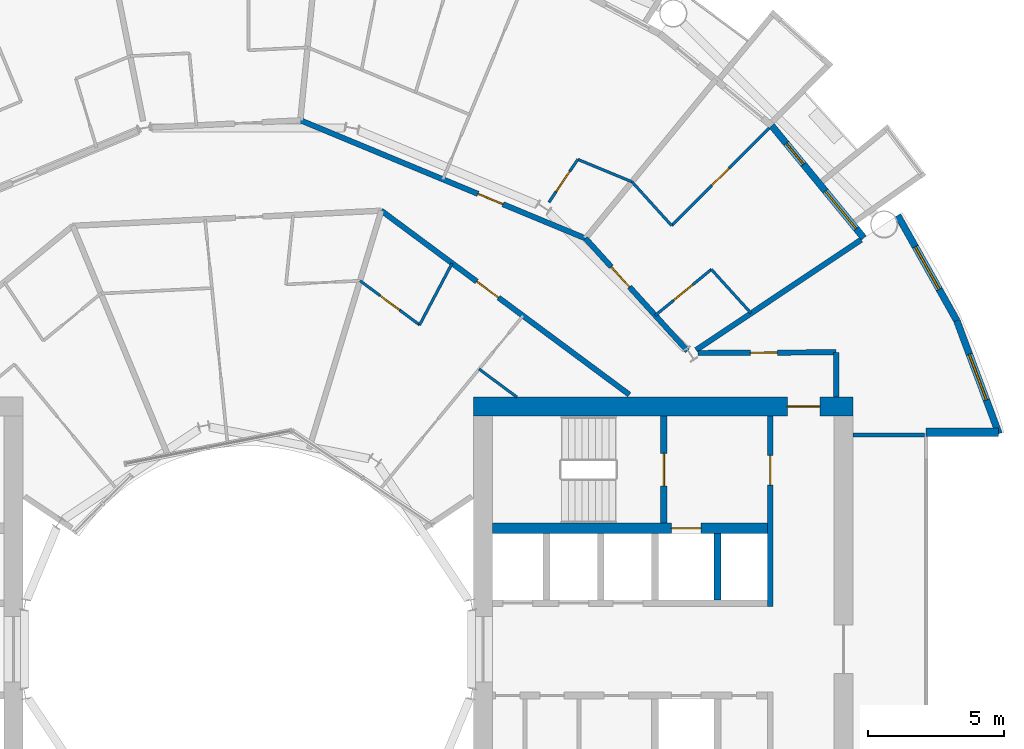
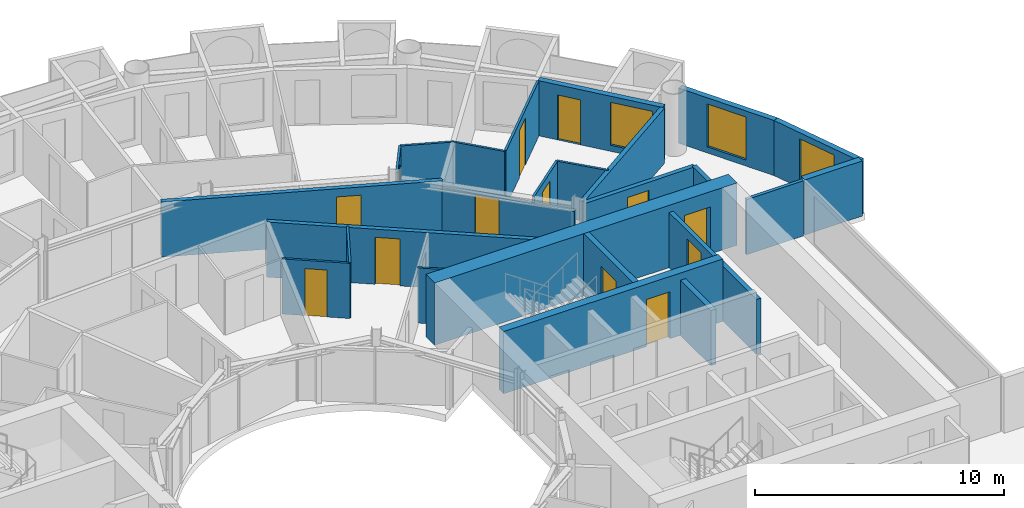
# One storey, part 21 of 26: 25 walls, 13 doors, 3 windows, 16 openings.
"""IFC4 building model written with IfcOpenShell, lengths in metres."""

from ifc_helpers import new_model, si_unit, direction, frame, frame_2d, origin, place, context, subcontext, project, spatial, rectangle, extrude, material, layer, layer_set, type_object, element, fill, save


model = new_model("IFC4")

# Units and contexts
model_context = context("Model", 3, precision=1e-05, world=origin(), true_north=direction((0.0, 1.0)))
body_context = subcontext(model_context, "Body", "Model", "MODEL_VIEW")
ifc_project = project(units=[si_unit("LENGTHUNIT", "METRE"), si_unit("AREAUNIT", "SQUARE_METRE"), si_unit("VOLUMEUNIT", "CUBIC_METRE"), si_unit("PLANEANGLEUNIT", "RADIAN"), si_unit("MASSUNIT", "GRAM", prefix="KILO")], contexts=[model_context])

# Site, building, storey
site_placement = place(None, origin())
site = spatial("IfcSite", under=ifc_project, at=site_placement, CompositionType="ELEMENT")
building_placement = place(site_placement, origin())
building = spatial("IfcBuilding", under=site, at=building_placement, Name="Maasbend Ring Residences", CompositionType="ELEMENT")
storey_placement = place(building_placement, frame((0.0, 0.0, 72.75)))
storey = spatial("IfcBuildingStorey", under=building, at=storey_placement, Name="L20", CompositionType="ELEMENT", Elevation=72.75)

# Wall, opening, door
ifc_material_1 = material(Name="Concrete C70/85", Category="concrete")
ifc_layer_1 = layer(ifc_material_1, 0.25)
ifc_layer_set_1 = layer_set([ifc_layer_1], Name="Concrete C70/85")
wall_type_1 = type_object("IfcWallType", Name="CORE WALL 250 C70/85", PredefinedType="SHEAR", material=ifc_layer_set_1)
wall_1_placement = place(storey_placement, frame((15.324951171875, 4.64990234375, 0.0), z_axis=(0.0, 0.0, 1.0), x_axis=(0.0, 1.0, 0.0)))
wall_1 = element("IfcWall", 1, at=wall_1_placement, inside=storey, type_object=wall_type_1, Name="L20 core E wall STEN", PredefinedType="SHEAR", context=body_context, shape_type="SweptSolid", body=[
    extrude(rectangle(XDim=3.9501953125, YDim=0.25, at=frame_2d((1.97509765625, 0.0))), origin(), (0.0, 0.0, 1.0), 3.050048828125),
])
opening_1_placement = place(wall_1_placement, frame((1.375, 0.0, 0.0)))
opening_1 = element("IfcOpeningElement", 2, at=opening_1_placement, cuts=wall_1, Name="Opening D-E2011", PredefinedType="OPENING", context=body_context, shape_type="SweptSolid", body=[
    extrude(rectangle(XDim=1.199951171875, YDim=2.300048828125, at=frame_2d((0.60009765625, 1.14990234375))), frame((0.0, 0.135009765625, 0.0), z_axis=(0.0, -1.0, 0.0), x_axis=(1.0, 0.0, 0.0)), (0.0, 0.0, 1.0), 0.27001953125),
])
ifc_material_2 = material(Name="Steel, powder coated", Category="steel")
door_type_1 = type_object("IfcDoorType", Name="STAIR DOOR 1200 X 2300 FD60", OperationType="NOTDEFINED", PredefinedType="DOOR", material=ifc_material_2)
door_1_placement = place(opening_1_placement, origin())
door_1 = element("IfcDoor", 3, at=door_1_placement, inside=storey, type_object=door_type_1, Name="Stair door ST-E L20", OperationType="SINGLE_SWING_LEFT", OverallHeight=2.300048828125, OverallWidth=1.199951171875, PredefinedType="DOOR", context=body_context, shape_type="SweptSolid", body=[
    extrude(rectangle(XDim=1.199951171875, YDim=2.300048828125, at=frame_2d((0.60009765625, 1.14990234375))), frame((0.0, 0.02490234375, 0.0), z_axis=(0.0, -1.0, 0.0), x_axis=(1.0, 0.0, 0.0)), (0.0, 0.0, 1.0), 0.050048828125),
])
fill(opening_1, door_1)

ifc_material_3 = material(Name="Concrete C70/85", Category="concrete")
ifc_layer_2 = layer(ifc_material_3, 0.375)
ifc_layer_set_2 = layer_set([ifc_layer_2], Name="Concrete C70/85")
wall_type_2 = type_object("IfcWallType", Name="CORE WALL 375 C70/85", PredefinedType="SHEAR", material=ifc_layer_set_2)
wall_2_placement = place(storey_placement, frame((9.0, 4.46240234375, 0.0), z_axis=(0.0, 0.0, 1.0), x_axis=(1.0, 0.0, 0.0)))
wall_2 = element("IfcWall", 4, at=wall_2_placement, inside=storey, type_object=wall_type_2, Name="L20 core E wall BN", PredefinedType="SHEAR", context=body_context, shape_type="SweptSolid", body=[
    extrude(rectangle(XDim=10.14990234375, YDim=0.375, at=frame_2d((5.074951171875, 0.0))), origin(), (0.0, 0.0, 1.0), 3.050048828125),
])
opening_2_placement = place(wall_2_placement, frame((6.60009765625, 0.0, 0.0)))
opening_2 = element("IfcOpeningElement", 5, at=opening_2_placement, cuts=wall_2, Name="Opening LD-E2004", PredefinedType="OPENING", context=body_context, shape_type="SweptSolid", body=[
    extrude(rectangle(XDim=1.10009765625, YDim=2.300048828125, at=frame_2d((0.550048828125, 1.14990234375))), frame((0.0, 0.197509765625, 0.0), z_axis=(0.0, -1.0, 0.0), x_axis=(1.0, 0.0, 0.0)), (0.0, 0.0, 1.0), 0.39501953125),
])
ifc_material_4 = material(Name="Stainless steel 316", Category="steel")
door_type_2 = type_object("IfcDoorType", Name="LANDING DOOR 1100 X 2300 FD60", OperationType="DOUBLE_DOOR_SLIDING", PredefinedType="DOOR", material=ifc_material_4)
door_2_placement = place(opening_2_placement, origin())
door_2 = element("IfcDoor", 6, at=door_2_placement, inside=storey, type_object=door_type_2, Name="Landing door FF-E L20", OperationType="DOUBLE_DOOR_SLIDING", OverallHeight=2.300048828125, OverallWidth=1.10009765625, PredefinedType="DOOR", context=body_context, shape_type="SweptSolid", body=[
    extrude(rectangle(XDim=1.10009765625, YDim=2.300048828125, at=frame_2d((0.550048828125, 1.14990234375))), frame((0.0, 0.02490234375, 0.0), z_axis=(0.0, -1.0, 0.0), x_axis=(1.0, 0.0, 0.0)), (0.0, 0.0, 1.0), 0.050048828125),
])
fill(opening_2, door_2)

ifc_material_5 = material(Name="Concrete C70/85", Category="concrete")
ifc_layer_3 = layer(ifc_material_5, 0.699951171875)
ifc_layer_set_3 = layer_set([ifc_layer_3], Name="Concrete C70/85")
wall_type_3 = type_object("IfcWallType", Name="CORE WALL 700 C70/85", PredefinedType="SHEAR", material=ifc_layer_set_3)
wall_3_placement = place(storey_placement, frame((22.300048828125, 8.949951171875, 0.0), z_axis=(0.0, 0.0, 1.0), x_axis=(-1.0, 0.0, 0.0)))
wall_3 = element("IfcWall", 7, at=wall_3_placement, inside=storey, type_object=wall_type_3, Name="L20 core E wall PN", PredefinedType="SHEAR", context=body_context, shape_type="SweptSolid", body=[
    extrude(rectangle(XDim=14.0, YDim=0.699951171875, at=frame_2d((7.0, 0.0))), origin(), (0.0, 0.0, 1.0), 3.050048828125),
])
opening_3_placement = place(wall_3_placement, frame((1.22509765625, 0.0, 0.0)))
opening_3 = element("IfcOpeningElement", 8, at=opening_3_placement, cuts=wall_3, Name="Opening D-E2015", PredefinedType="OPENING", context=body_context, shape_type="SweptSolid", body=[
    extrude(rectangle(XDim=1.199951171875, YDim=2.300048828125, at=frame_2d((0.60009765625, 1.14990234375))), frame((0.0, 0.35986328125, 0.0), z_axis=(0.0, -1.0, 0.0), x_axis=(1.0, 0.0, 0.0)), (0.0, 0.0, 1.0), 0.719970703125),
])
ifc_material_6 = material(Name="Steel, powder coated", Category="steel")
door_type_3 = type_object("IfcDoorType", Name="CORRIDOR DOOR 1200 X 2300 FD30S", OperationType="NOTDEFINED", PredefinedType="DOOR", material=ifc_material_6)
door_3_placement = place(opening_3_placement, origin())
door_3 = element("IfcDoor", 9, at=door_3_placement, inside=storey, type_object=door_type_3, Name="Corridor door L20", OperationType="SINGLE_SWING_RIGHT", OverallHeight=2.300048828125, OverallWidth=1.199951171875, PredefinedType="DOOR", context=body_context, shape_type="SweptSolid", body=[
    extrude(rectangle(XDim=1.199951171875, YDim=2.300048828125, at=frame_2d((0.60009765625, 1.14990234375))), frame((0.0, 0.02490234375, 0.0), z_axis=(0.0, -1.0, 0.0), x_axis=(1.0, 0.0, 0.0)), (0.0, 0.0, 1.0), 0.050048828125),
])
fill(opening_3, door_3)

# Wall
ifc_material_7 = material(Name="Concrete C30/37", Category="concrete")
ifc_layer_4 = layer(ifc_material_7, 0.199951171875)
ifc_layer_set_4 = layer_set([ifc_layer_4], Name="Concrete C30/37")
wall_type_4 = type_object("IfcWallType", Name="CORRIDOR WALL 200 CONCRETE", PredefinedType="PARTITIONING", material=ifc_layer_set_4)
wall_4_placement = place(storey_placement, frame((21.675048828125, 9.300048828125, 0.0), z_axis=(0.0, 0.0, 1.0), x_axis=(0.0, 1.0, 0.0)))
element("IfcWall", 10, at=wall_4_placement, inside=storey, type_object=wall_type_4, Name="U-L20-w006", PredefinedType="PARTITIONING", context=body_context, shape_type="SweptSolid", body=[
    extrude(rectangle(XDim=1.64990234375, YDim=0.199951171875, at=frame_2d((0.824951171875, 0.0))), origin(), (0.0, 0.0, 1.0), 2.699951171875),
])

# Wall, opening, door
wall_5_placement = place(storey_placement, frame((16.589111328125, 10.924072265625, 0.0), z_axis=(0.0, 0.0, 1.0), x_axis=(0.999987054722, 0.005088259783, 0.0)))
wall_5 = element("IfcWall", 11, at=wall_5_placement, inside=storey, type_object=wall_type_4, Name="U-L20-w088", PredefinedType="PARTITIONING", context=body_context, shape_type="SweptSolid", body=[
    extrude(rectangle(XDim=5.0859375, YDim=0.199951171875, at=frame_2d((2.54296875, 0.0))), origin(), (0.0, 0.0, 1.0), 2.699951171875),
])
opening_4_placement = place(wall_5_placement, frame((1.923095703125, 0.0, 0.0)))
opening_4 = element("IfcOpeningElement", 12, at=opening_4_placement, cuts=wall_5, Name="Opening D-2068", PredefinedType="OPENING", context=body_context, shape_type="SweptSolid", body=[
    extrude(rectangle(XDim=1.0, YDim=2.300048828125, at=frame_2d((0.5, 1.14990234375))), frame((0.0, 0.10986328125, 0.0), z_axis=(0.0, -1.0, 0.0), x_axis=(1.0, 0.0, 0.0)), (0.0, 0.0, 1.0), 0.219970703125),
])
ifc_material_8 = material(Name="Timber, painted", Category="wood")
door_type_4 = type_object("IfcDoorType", Name="ROOM DOOR 1000 X 2300", OperationType="NOTDEFINED", PredefinedType="DOOR", material=ifc_material_8)
door_4_placement = place(opening_4_placement, origin())
door_4 = element("IfcDoor", 13, at=door_4_placement, inside=storey, type_object=door_type_4, Name="D-2068", OperationType="SINGLE_SWING_LEFT", OverallHeight=2.300048828125, OverallWidth=1.0, PredefinedType="DOOR", context=body_context, shape_type="SweptSolid", body=[
    extrude(rectangle(XDim=1.0, YDim=2.300048828125, at=frame_2d((0.5, 1.14990234375))), frame((0.0, 0.02490234375, 0.0), z_axis=(0.0, -1.0, 0.0), x_axis=(1.0, 0.0, 0.0)), (0.0, 0.0, 1.0), 0.050048828125),
])
fill(opening_4, door_4)

wall_6_placement = place(storey_placement, frame((4.906005859375, 16.172119140625, 0.0), z_axis=(0.0, 0.0, 1.0), x_axis=(0.803204584823, -0.59570327758, 0.0)))
wall_6 = element("IfcWall", 14, at=wall_6_placement, inside=storey, type_object=wall_type_4, Name="U-L20-w096", PredefinedType="PARTITIONING", context=body_context, shape_type="SweptSolid", body=[
    extrude(rectangle(XDim=11.386962890625, YDim=0.199951171875, at=frame_2d((5.693359375, 0.0))), origin(), (0.0, 0.0, 1.0), 2.699951171875),
])
opening_5_placement = place(wall_6_placement, frame((4.3798828125, 0.0, 0.0)))
opening_5 = element("IfcOpeningElement", 15, at=opening_5_placement, cuts=wall_6, Name="Opening D-2021", PredefinedType="OPENING", context=body_context, shape_type="SweptSolid", body=[
    extrude(rectangle(XDim=1.0, YDim=2.300048828125, at=frame_2d((0.5, 1.14990234375))), frame((0.0, 0.10986328125, 0.0), z_axis=(0.0, -1.0, 0.0), x_axis=(1.0, 0.0, 0.0)), (0.0, 0.0, 1.0), 0.219970703125),
])
ifc_material_9 = material(Name="Timber, fire-rated, painted", Category="wood")
door_type_5 = type_object("IfcDoorType", Name="FLAT ENTRANCE DOOR 1000 X 2300 FIRE-RATED", OperationType="NOTDEFINED", PredefinedType="DOOR", material=ifc_material_9)
door_5_placement = place(opening_5_placement, origin())
door_5 = element("IfcDoor", 16, at=door_5_placement, inside=storey, type_object=door_type_5, Name="D-2021", OperationType="SINGLE_SWING_LEFT", OverallHeight=2.300048828125, OverallWidth=1.0, PredefinedType="DOOR", context=body_context, shape_type="SweptSolid", body=[
    extrude(rectangle(XDim=1.0, YDim=2.300048828125, at=frame_2d((0.5, 1.14990234375))), frame((0.0, 0.02490234375, 0.0), z_axis=(0.0, -1.0, 0.0), x_axis=(1.0, 0.0, 0.0)), (0.0, 0.0, 1.0), 0.050048828125),
])
fill(opening_5, door_5)

wall_7_placement = place(storey_placement, frame((1.9208984375, 19.506103515625, 0.0), z_axis=(0.0, 0.0, 1.0), x_axis=(0.923845560554, -0.38276543763, 0.0)))
wall_7 = element("IfcWall", 17, at=wall_7_placement, inside=storey, type_object=wall_type_4, Name="U-L20-w098", PredefinedType="PARTITIONING", context=body_context, shape_type="SweptSolid", body=[
    extrude(rectangle(XDim=11.380859375, YDim=0.199951171875, at=frame_2d((5.6904296875, 0.0))), origin(), (0.0, 0.0, 1.0), 2.699951171875),
])
opening_6_placement = place(wall_7_placement, frame((7.0869140625, 0.0, 0.0)))
opening_6 = element("IfcOpeningElement", 18, at=opening_6_placement, cuts=wall_7, Name="Opening D-2004", PredefinedType="OPENING", context=body_context, shape_type="SweptSolid", body=[
    extrude(rectangle(XDim=1.0, YDim=2.300048828125, at=frame_2d((0.5, 1.14990234375))), frame((0.0, 0.10986328125, 0.0), z_axis=(0.0, -1.0, 0.0), x_axis=(1.0, 0.0, 0.0)), (0.0, 0.0, 1.0), 0.219970703125),
])
door_6_placement = place(opening_6_placement, origin())
door_6 = element("IfcDoor", 19, at=door_6_placement, inside=storey, type_object=door_type_5, Name="D-2004", OperationType="SINGLE_SWING_RIGHT", OverallHeight=2.300048828125, OverallWidth=1.0, PredefinedType="DOOR", context=body_context, shape_type="SweptSolid", body=[
    extrude(rectangle(XDim=1.0, YDim=2.300048828125, at=frame_2d((0.5, 1.14990234375))), frame((0.0, 0.02490234375, 0.0), z_axis=(0.0, -1.0, 0.0), x_axis=(1.0, 0.0, 0.0)), (0.0, 0.0, 1.0), 0.050048828125),
])
fill(opening_6, door_6)

wall_8_placement = place(storey_placement, frame((12.43408203125, 15.15087890625, 0.0), z_axis=(0.0, 0.0, 1.0), x_axis=(0.671601747072, -0.740912338492, 0.0)))
wall_8 = element("IfcWall", 20, at=wall_8_placement, inside=storey, type_object=wall_type_4, Name="U-L20-w102", PredefinedType="PARTITIONING", context=body_context, shape_type="SweptSolid", body=[
    extrude(rectangle(XDim=5.59716796875, YDim=0.199951171875, at=frame_2d((2.798583984375, 0.0))), origin(), (0.0, 0.0, 1.0), 2.3798828125),
])
opening_7_placement = place(wall_8_placement, frame((1.4169921875, 0.0, 0.0)))
opening_7 = element("IfcOpeningElement", 21, at=opening_7_placement, cuts=wall_8, Name="Opening D-2001", PredefinedType="OPENING", context=body_context, shape_type="SweptSolid", body=[
    extrude(rectangle(XDim=1.0, YDim=2.300048828125, at=frame_2d((0.5, 1.14990234375))), frame((0.0, 0.10986328125, 0.0), z_axis=(0.0, -1.0, 0.0), x_axis=(1.0, 0.0, 0.0)), (0.0, 0.0, 1.0), 0.219970703125),
])
door_7_placement = place(opening_7_placement, origin())
door_7 = element("IfcDoor", 22, at=door_7_placement, inside=storey, type_object=door_type_5, Name="D-2001", OperationType="SINGLE_SWING_LEFT", OverallHeight=2.300048828125, OverallWidth=1.0, PredefinedType="DOOR", context=body_context, shape_type="SweptSolid", body=[
    extrude(rectangle(XDim=1.0, YDim=2.300048828125, at=frame_2d((0.5, 1.14990234375))), frame((0.0, 0.02490234375, 0.0), z_axis=(0.0, -1.0, 0.0), x_axis=(1.0, 0.0, 0.0)), (0.0, 0.0, 1.0), 0.050048828125),
])
fill(opening_7, door_7)

# Wall, openings, door, window
ifc_material_10 = material(Name="Aluminium clad insulated panel", Category="aluminium")
ifc_layer_5 = layer(ifc_material_10, 0.25)
ifc_layer_set_5 = layer_set([ifc_layer_5], Name="EW-GL")
wall_type_5 = type_object("IfcWallType", Name="EW-GL", PredefinedType="SOLIDWALL", material=ifc_layer_set_5)
wall_9_placement = place(storey_placement, frame((22.698974609375, 15.1669921875, 0.0), z_axis=(0.0, 0.0, 1.0), x_axis=(-0.634382322723, 0.773019449054, 0.0)))
wall_9 = element("IfcWall", 23, at=wall_9_placement, inside=storey, type_object=wall_type_5, Name="External wall N01", PredefinedType="SOLIDWALL", context=body_context, shape_type="SweptSolid", body=[
    extrude(rectangle(XDim=5.351806640625, YDim=0.25, at=frame_2d((2.67578125, 0.0))), origin(), (0.0, 0.0, 1.0), 2.699951171875),
])
opening_8_placement = place(wall_9_placement, frame((0.441162109375, 0.0, 0.300048828125)))
opening_8 = element("IfcOpeningElement", 24, at=opening_8_placement, cuts=wall_9, Name="Opening W-BX", PredefinedType="OPENING", context=body_context, shape_type="SweptSolid", body=[
    extrude(rectangle(XDim=1.800048828125, YDim=2.10009765625, at=frame_2d((0.89990234375, 1.050048828125))), frame((0.0, 0.135009765625, 0.0), z_axis=(0.0, -1.0, 0.0), x_axis=(1.0, 0.0, 0.0)), (0.0, 0.0, 1.0), 0.27001953125),
])
opening_9_placement = place(wall_9_placement, frame((3.510498046875, 0.0, 0.0)))
opening_9 = element("IfcOpeningElement", 25, at=opening_9_placement, cuts=wall_9, Name="Opening D-LG", PredefinedType="OPENING", context=body_context, shape_type="SweptSolid", body=[
    extrude(rectangle(XDim=1.0, YDim=2.199951171875, at=frame_2d((0.5, 1.10009765625))), frame((0.0, 0.135009765625, 0.0), z_axis=(0.0, -1.0, 0.0), x_axis=(1.0, 0.0, 0.0)), (0.0, 0.0, 1.0), 0.27001953125),
])
ifc_material_11 = material(Name="Aluminium and clear glass", Category="aluminium")
door_type_6 = type_object("IfcDoorType", Name="D-LG", OperationType="SINGLE_SWING_LEFT", PredefinedType="DOOR", material=ifc_material_11)
door_8_placement = place(opening_9_placement, origin())
door_8 = element("IfcDoor", 26, at=door_8_placement, inside=storey, type_object=door_type_6, Name="Loggia door N02", OperationType="SINGLE_SWING_LEFT", OverallHeight=2.199951171875, OverallWidth=1.0, PredefinedType="DOOR", context=body_context, shape_type="SweptSolid", body=[
    extrude(rectangle(XDim=1.0, YDim=2.199951171875, at=frame_2d((0.5, 1.10009765625))), frame((0.0, 0.02490234375, 0.0), z_axis=(0.0, -1.0, 0.0), x_axis=(1.0, 0.0, 0.0)), (0.0, 0.0, 1.0), 0.050048828125),
])
fill(opening_9, door_8)
ifc_material_12 = material(Name="Aluminium and clear glass", Category="aluminium")
window_type = type_object("IfcWindowType", Name="W-BX", PartitioningType="DOUBLE_PANEL_VERTICAL", PredefinedType="WINDOW", material=ifc_material_12)
window_1_placement = place(opening_8_placement, origin())
window_1 = element("IfcWindow", 27, at=window_1_placement, inside=storey, type_object=window_type, Name="Window N01 room to box", OverallHeight=2.10009765625, OverallWidth=1.800048828125, PartitioningType="SINGLE_PANEL", PredefinedType="WINDOW", context=body_context, shape_type="SweptSolid", body=[
    extrude(rectangle(XDim=1.800048828125, YDim=2.10009765625, at=frame_2d((0.89990234375, 1.050048828125))), frame((0.0, 0.030029296875, 0.0), z_axis=(0.0, -1.0, 0.0), x_axis=(1.0, 0.0, 0.0)), (0.0, 0.0, 1.0), 0.06005859375),
])
fill(opening_8, window_1)

# Wall, opening, window
ifc_material_13 = material(Name="Aluminium clad insulated panel", Category="aluminium")
ifc_layer_6 = layer(ifc_material_13, 0.25)
ifc_layer_set_6 = layer_set([ifc_layer_6], Name="EW-HORN")
wall_type_6 = type_object("IfcWallType", Name="EW-HORN", PredefinedType="SOLIDWALL", material=ifc_layer_set_6)
wall_10_placement = place(storey_placement, frame((27.681884765625, 7.945068359375, 0.0), z_axis=(0.0, 0.0, 1.0), x_axis=(-0.349247811493, 0.937030397675, 0.0)))
wall_10 = element("IfcWall", 28, at=wall_10_placement, inside=storey, type_object=wall_type_6, Name="Horn wall 1.1", PredefinedType="SOLIDWALL", context=body_context, shape_type="SweptSolid", body=[
    extrude(rectangle(XDim=4.4521484375, YDim=0.25, at=frame_2d((2.22607421875, 0.0))), origin(), (0.0, 0.0, 1.0), 2.699951171875),
])
opening_10_placement = place(wall_10_placement, frame((1.32666015625, 0.0, 0.300048828125)))
opening_10 = element("IfcOpeningElement", 29, at=opening_10_placement, cuts=wall_10, Name="Opening W-BX", PredefinedType="OPENING", context=body_context, shape_type="SweptSolid", body=[
    extrude(rectangle(XDim=1.800048828125, YDim=2.10009765625, at=frame_2d((0.89990234375, 1.050048828125))), frame((0.0, 0.135009765625, 0.0), z_axis=(0.0, -1.0, 0.0), x_axis=(1.0, 0.0, 0.0)), (0.0, 0.0, 1.0), 0.27001953125),
])
window_2_placement = place(opening_10_placement, origin())
window_2 = element("IfcWindow", 30, at=window_2_placement, inside=storey, type_object=window_type, Name="Horn window 1.1", OverallHeight=2.10009765625, OverallWidth=1.800048828125, PartitioningType="SINGLE_PANEL", PredefinedType="WINDOW", context=body_context, shape_type="SweptSolid", body=[
    extrude(rectangle(XDim=1.800048828125, YDim=2.10009765625, at=frame_2d((0.89990234375, 1.050048828125))), frame((0.0, 0.030029296875, 0.0), z_axis=(0.0, -1.0, 0.0), x_axis=(1.0, 0.0, 0.0)), (0.0, 0.0, 1.0), 0.06005859375),
])
fill(opening_10, window_2)

wall_11_placement = place(storey_placement, frame((26.126953125, 12.116943359375, 0.0), z_axis=(0.0, 0.0, 1.0), x_axis=(-0.489696356642, 0.871893042919, 0.0)))
wall_11 = element("IfcWall", 31, at=wall_11_placement, inside=storey, type_object=wall_type_6, Name="Horn wall 1.2", PredefinedType="SOLIDWALL", context=body_context, shape_type="SweptSolid", body=[
    extrude(rectangle(XDim=4.45361328125, YDim=0.25, at=frame_2d((2.226806640625, 0.0))), origin(), (0.0, 0.0, 1.0), 2.699951171875),
])
opening_11_placement = place(wall_11_placement, frame((1.32666015625, 0.0, 0.300048828125)))
opening_11 = element("IfcOpeningElement", 32, at=opening_11_placement, cuts=wall_11, Name="Opening W-BX", PredefinedType="OPENING", context=body_context, shape_type="SweptSolid", body=[
    extrude(rectangle(XDim=1.800048828125, YDim=2.10009765625, at=frame_2d((0.89990234375, 1.050048828125))), frame((0.0, 0.135009765625, 0.0), z_axis=(0.0, -1.0, 0.0), x_axis=(1.0, 0.0, 0.0)), (0.0, 0.0, 1.0), 0.27001953125),
])
window_3_placement = place(opening_11_placement, origin())
window_3 = element("IfcWindow", 33, at=window_3_placement, inside=storey, type_object=window_type, Name="Horn window 1.2", OverallHeight=2.10009765625, OverallWidth=1.800048828125, PartitioningType="SINGLE_PANEL", PredefinedType="WINDOW", context=body_context, shape_type="SweptSolid", body=[
    extrude(rectangle(XDim=1.800048828125, YDim=2.10009765625, at=frame_2d((0.89990234375, 1.050048828125))), frame((0.0, 0.030029296875, 0.0), z_axis=(0.0, -1.0, 0.0), x_axis=(1.0, 0.0, 0.0)), (0.0, 0.0, 1.0), 0.06005859375),
])
fill(opening_11, window_3)

# Walls
ifc_material_14 = material(Name="Aluminium clad insulated panel", Category="aluminium")
ifc_layer_7 = layer(ifc_material_14, 0.300048828125)
ifc_layer_set_7 = layer_set([ifc_layer_7], Name="EW-RET")
wall_type_7 = type_object("IfcWallType", Name="EW-RET", PredefinedType="SOLIDWALL", material=ifc_layer_set_7)
wall_12_placement = place(storey_placement, frame((25.0, 8.0, 0.0), z_axis=(0.0, 0.0, 1.0), x_axis=(1.0, 0.0, 0.0)))
element("IfcWall", 34, at=wall_12_placement, inside=storey, type_object=wall_type_7, Name="Notch return wall east north", PredefinedType="SOLIDWALL", context=body_context, shape_type="SweptSolid", body=[
    extrude(rectangle(XDim=2.6669921875, YDim=0.300048828125, at=frame_2d((1.33349609375, 0.0))), origin(), (0.0, 0.0, 1.0), 2.699951171875),
])
ifc_material_15 = material(Name="Gypsum board on steel studs", Category="steel")
ifc_layer_8 = layer(ifc_material_15, 0.10009765625)
ifc_layer_set_8 = layer_set([ifc_layer_8], Name="PARTITION 100 GYPSUM")
wall_type_8 = type_object("IfcWallType", Name="PARTITION 100 GYPSUM", PredefinedType="PARTITIONING", material=ifc_layer_set_8)
wall_13_placement = place(storey_placement, frame((6.318115234375, 11.9599609375, 0.0), z_axis=(0.0, 0.0, 1.0), x_axis=(0.467001992543, 0.884256263173, 0.0)))
element("IfcWall", 35, at=wall_13_placement, inside=storey, type_object=wall_type_8, Name="U-L20-w074", PredefinedType="PARTITIONING", context=body_context, shape_type="SweptSolid", body=[
    extrude(rectangle(XDim=2.571533203125, YDim=0.10009765625, at=frame_2d((1.28564453125, 0.0))), origin(), (0.0, 0.0, 1.0), 2.699951171875),
])

# Wall, opening, door
wall_14_placement = place(storey_placement, frame((11.0869140625, 16.47998046875, 0.0), z_axis=(0.0, 0.0, 1.0), x_axis=(0.558383137663, 0.829583191472, 0.0)))
wall_14 = element("IfcWall", 36, at=wall_14_placement, inside=storey, type_object=wall_type_8, Name="U-L20-w077", PredefinedType="PARTITIONING", context=body_context, shape_type="SweptSolid", body=[
    extrude(rectangle(XDim=1.909423828125, YDim=0.10009765625, at=frame_2d((0.95458984375, 0.0))), origin(), (0.0, 0.0, 1.0), 2.699951171875),
])
opening_12_placement = place(wall_14_placement, frame((0.47412109375, 0.0, 0.0)))
opening_12 = element("IfcOpeningElement", 37, at=opening_12_placement, cuts=wall_14, Name="Opening D-2005", PredefinedType="OPENING", context=body_context, shape_type="SweptSolid", body=[
    extrude(rectangle(XDim=0.89990234375, YDim=2.300048828125, at=frame_2d((0.449951171875, 1.14990234375))), frame((0.0, 0.06005859375, 0.0), z_axis=(0.0, -1.0, 0.0), x_axis=(1.0, 0.0, 0.0)), (0.0, 0.0, 1.0), 0.1201171875),
])
ifc_material_16 = material(Name="Timber, painted", Category="wood")
door_type_7 = type_object("IfcDoorType", Name="INTERNAL DOOR 900 X 2300", OperationType="NOTDEFINED", PredefinedType="DOOR", material=ifc_material_16)
door_9_placement = place(opening_12_placement, origin())
door_9 = element("IfcDoor", 38, at=door_9_placement, inside=storey, type_object=door_type_7, Name="D-2005", OperationType="SINGLE_SWING_LEFT", OverallHeight=2.300048828125, OverallWidth=0.89990234375, PredefinedType="DOOR", context=body_context, shape_type="SweptSolid", body=[
    extrude(rectangle(XDim=0.89990234375, YDim=2.300048828125, at=frame_2d((0.449951171875, 1.14990234375))), frame((0.0, 0.02490234375, 0.0), z_axis=(0.0, -1.0, 0.0), x_axis=(1.0, 0.0, 0.0)), (0.0, 0.0, 1.0), 0.050048828125),
])
fill(opening_12, door_9)

wall_15_placement = place(storey_placement, frame((15.009033203125, 12.31005859375, 0.0), z_axis=(0.0, 0.0, 1.0), x_axis=(0.77319617123, 0.634166918717, 0.0)))
wall_15 = element("IfcWall", 39, at=wall_15_placement, inside=storey, type_object=wall_type_8, Name="U-L20-w081", PredefinedType="PARTITIONING", context=body_context, shape_type="SweptSolid", body=[
    extrude(rectangle(XDim=2.674560546875, YDim=0.10009765625, at=frame_2d((1.33740234375, 0.0))), origin(), (0.0, 0.0, 1.0), 2.699951171875),
])
opening_13_placement = place(wall_15_placement, frame((0.886962890625, 0.0, 0.0)))
opening_13 = element("IfcOpeningElement", 40, at=opening_13_placement, cuts=wall_15, Name="Opening D-2002", PredefinedType="OPENING", context=body_context, shape_type="SweptSolid", body=[
    extrude(rectangle(XDim=0.89990234375, YDim=2.300048828125, at=frame_2d((0.449951171875, 1.14990234375))), frame((0.0, 0.06005859375, 0.0), z_axis=(0.0, -1.0, 0.0), x_axis=(1.0, 0.0, 0.0)), (0.0, 0.0, 1.0), 0.1201171875),
])
door_10_placement = place(opening_13_placement, origin())
door_10 = element("IfcDoor", 41, at=door_10_placement, inside=storey, type_object=door_type_7, Name="D-2002", OperationType="SINGLE_SWING_RIGHT", OverallHeight=2.300048828125, OverallWidth=0.89990234375, PredefinedType="DOOR", context=body_context, shape_type="SweptSolid", body=[
    extrude(rectangle(XDim=0.89990234375, YDim=2.300048828125, at=frame_2d((0.449951171875, 1.14990234375))), frame((0.0, 0.02490234375, 0.0), z_axis=(0.0, -1.0, 0.0), x_axis=(1.0, 0.0, 0.0)), (0.0, 0.0, 1.0), 0.050048828125),
])
fill(opening_13, door_10)

wall_16_placement = place(storey_placement, frame((15.612060546875, 15.6220703125, 0.0), z_axis=(0.0, 0.0, 1.0), x_axis=(0.706914880313, 0.707298629994, 0.0)))
wall_16 = element("IfcWall", 42, at=wall_16_placement, inside=storey, type_object=wall_type_8, Name="U-L20-w083", PredefinedType="PARTITIONING", context=body_context, shape_type="SweptSolid", body=[
    extrude(rectangle(XDim=5.089599609375, YDim=0.10009765625, at=frame_2d((2.544921875, 0.0))), origin(), (0.0, 0.0, 1.0), 2.699951171875),
])
opening_14_placement = place(wall_16_placement, frame((2.094970703125, 0.0, 0.0)))
opening_14 = element("IfcOpeningElement", 43, at=opening_14_placement, cuts=wall_16, Name="Opening D-2003", PredefinedType="OPENING", context=body_context, shape_type="SweptSolid", body=[
    extrude(rectangle(XDim=0.89990234375, YDim=2.300048828125, at=frame_2d((0.449951171875, 1.14990234375))), frame((0.0, 0.06005859375, 0.0), z_axis=(0.0, -1.0, 0.0), x_axis=(1.0, 0.0, 0.0)), (0.0, 0.0, 1.0), 0.1201171875),
])
door_11_placement = place(opening_14_placement, origin())
door_11 = element("IfcDoor", 44, at=door_11_placement, inside=storey, type_object=door_type_7, Name="D-2003", OperationType="SINGLE_SWING_LEFT", OverallHeight=2.300048828125, OverallWidth=0.89990234375, PredefinedType="DOOR", context=body_context, shape_type="SweptSolid", body=[
    extrude(rectangle(XDim=0.89990234375, YDim=2.300048828125, at=frame_2d((0.449951171875, 1.14990234375))), frame((0.0, 0.02490234375, 0.0), z_axis=(0.0, -1.0, 0.0), x_axis=(1.0, 0.0, 0.0)), (0.0, 0.0, 1.0), 0.050048828125),
])
fill(opening_14, door_11)

wall_17_placement = place(storey_placement, frame((4.1220703125, 13.589111328125, 0.0), z_axis=(0.0, 0.0, 1.0), x_axis=(0.803128348509, -0.595806055542, 0.0)))
wall_17 = element("IfcWall", 45, at=wall_17_placement, inside=storey, type_object=wall_type_8, Name="U-L20-w091", PredefinedType="PARTITIONING", context=body_context, shape_type="SweptSolid", body=[
    extrude(rectangle(XDim=2.734375, YDim=0.10009765625, at=frame_2d((1.3671875, 0.0))), origin(), (0.0, 0.0, 1.0), 2.699951171875),
])
opening_15_placement = place(wall_17_placement, frame((0.9169921875, 0.0, 0.0)))
opening_15 = element("IfcOpeningElement", 46, at=opening_15_placement, cuts=wall_17, Name="Opening D-2022", PredefinedType="OPENING", context=body_context, shape_type="SweptSolid", body=[
    extrude(rectangle(XDim=0.89990234375, YDim=2.300048828125, at=frame_2d((0.449951171875, 1.14990234375))), frame((0.0, 0.06005859375, 0.0), z_axis=(0.0, -1.0, 0.0), x_axis=(1.0, 0.0, 0.0)), (0.0, 0.0, 1.0), 0.1201171875),
])
door_12_placement = place(opening_15_placement, origin())
door_12 = element("IfcDoor", 47, at=door_12_placement, inside=storey, type_object=door_type_7, Name="D-2022", OperationType="SINGLE_SWING_LEFT", OverallHeight=2.300048828125, OverallWidth=0.89990234375, PredefinedType="DOOR", context=body_context, shape_type="SweptSolid", body=[
    extrude(rectangle(XDim=0.89990234375, YDim=2.300048828125, at=frame_2d((0.449951171875, 1.14990234375))), frame((0.0, 0.02490234375, 0.0), z_axis=(0.0, -1.0, 0.0), x_axis=(1.0, 0.0, 0.0)), (0.0, 0.0, 1.0), 0.050048828125),
])
fill(opening_15, door_12)

# Walls
wall_18_placement = place(storey_placement, frame((8.511962890625, 10.33203125, 0.0), z_axis=(0.0, 0.0, 1.0), x_axis=(0.803135014325, -0.595797070121, 0.0)))
element("IfcWall", 48, at=wall_18_placement, inside=storey, type_object=wall_type_8, Name="U-L20-w092", PredefinedType="PARTITIONING", context=body_context, shape_type="SweptSolid", body=[
    extrude(rectangle(XDim=1.732177734375, YDim=0.10009765625, at=frame_2d((0.8662109375, 0.0))), origin(), (0.0, 0.0, 1.0), 2.699951171875),
])
wall_19_placement = place(storey_placement, frame((12.155029296875, 18.06201171875, 0.0), z_axis=(0.0, 0.0, 1.0), x_axis=(0.923874819588, -0.382694810171, 0.0)))
element("IfcWall", 49, at=wall_19_placement, inside=storey, type_object=wall_type_8, Name="U-L20-w104", PredefinedType="PARTITIONING", context=body_context, shape_type="SweptSolid", body=[
    extrude(rectangle(XDim=2.158203125, YDim=0.10009765625, at=frame_2d((1.0791015625, 0.0))), origin(), (0.0, 0.0, 1.0), 2.699951171875),
])
wall_20_placement = place(storey_placement, frame((14.14697265625, 17.238037109375, 0.0), z_axis=(0.0, 0.0, 1.0), x_axis=(0.671674967707, -0.740845960882, 0.0)))
element("IfcWall", 50, at=wall_20_placement, inside=storey, type_object=wall_type_8, Name="U-L20-w113", PredefinedType="PARTITIONING", context=body_context, shape_type="SweptSolid", body=[
    extrude(rectangle(XDim=2.18115234375, YDim=0.10009765625, at=frame_2d((1.090576171875, 0.0))), origin(), (0.0, 0.0, 1.0), 2.699951171875),
])
wall_21_placement = place(storey_placement, frame((17.072021484375, 14.010986328125, 0.0), z_axis=(0.0, 0.0, 1.0), x_axis=(0.67169789574, -0.740825172937, 0.0)))
element("IfcWall", 51, at=wall_21_placement, inside=storey, type_object=wall_type_8, Name="U-L20-w114", PredefinedType="PARTITIONING", context=body_context, shape_type="SweptSolid", body=[
    extrude(rectangle(XDim=2.1826171875, YDim=0.10009765625, at=frame_2d((1.09130859375, 0.0))), origin(), (0.0, 0.0, 1.0), 2.699951171875),
])
ifc_material_17 = material(Name="Gypsum board on steel studs", Category="steel")
ifc_layer_9 = layer(ifc_material_17, 0.14990234375)
ifc_layer_set_9 = layer_set([ifc_layer_9], Name="PARTITION 150 EI 60")
wall_type_9 = type_object("IfcWallType", Name="PARTITION 150 EI 60", PredefinedType="PARTITIONING", material=ifc_layer_set_9)
wall_22_placement = place(storey_placement, frame((22.300048828125, 7.89990234375, 0.0), z_axis=(0.0, 0.0, 1.0), x_axis=(1.0, 0.0, 0.0)))
element("IfcWall", 52, at=wall_22_placement, inside=storey, type_object=wall_type_9, Name="L20 core E wall CITN", PredefinedType="PARTITIONING", context=body_context, shape_type="SweptSolid", body=[
    extrude(rectangle(XDim=2.639892578125, YDim=0.14990234375, at=frame_2d((1.31982421875, 0.0))), origin(), (0.0, 0.0, 1.0), 2.699951171875),
])
ifc_material_18 = material(Name="Concrete C30/37", Category="concrete")
ifc_layer_10 = layer(ifc_material_18, 0.199951171875)
ifc_layer_set_10 = layer_set([ifc_layer_10], Name="Concrete C30/37")
wall_type_10 = type_object("IfcWallType", Name="PARTY WALL 200 CONCRETE", PredefinedType="PARTITIONING", material=ifc_layer_set_10)
wall_23_placement = place(storey_placement, frame((16.514892578125, 11.033935546875, 0.0), z_axis=(0.0, 0.0, 1.0), x_axis=(0.831382022135, 0.555701298605, 0.0)))
element("IfcWall", 53, at=wall_23_placement, inside=storey, type_object=wall_type_10, Name="U-L20-w029", PredefinedType="PARTITIONING", context=body_context, shape_type="SweptSolid", body=[
    extrude(rectangle(XDim=7.313232421875, YDim=0.199951171875, at=frame_2d((3.65673828125, 0.0))), origin(), (0.0, 0.0, 1.0), 2.699951171875),
])

# Wall, opening, door
ifc_material_19 = material(Name="Concrete C30/37", Category="concrete")
ifc_layer_11 = layer(ifc_material_19, 0.199951171875)
ifc_layer_set_11 = layer_set([ifc_layer_11], Name="Concrete C30/37")
wall_type_11 = type_object("IfcWallType", Name="SHAFT WALL 200 EI 120", PredefinedType="SOLIDWALL", material=ifc_layer_set_11)
wall_24_placement = place(storey_placement, frame((19.25, 1.574951171875, 0.0), z_axis=(0.0, 0.0, 1.0), x_axis=(0.0, 1.0, 0.0)))
wall_24 = element("IfcWall", 54, at=wall_24_placement, inside=storey, type_object=wall_type_11, Name="L20 core E wall ENDN", PredefinedType="SOLIDWALL", context=body_context, shape_type="SweptSolid", body=[
    extrude(rectangle(XDim=7.025146484375, YDim=0.199951171875, at=frame_2d((3.5126953125, 0.0))), origin(), (0.0, 0.0, 1.0), 2.699951171875),
])
opening_16_placement = place(wall_24_placement, frame((4.47509765625, 0.0, 0.0)))
opening_16 = element("IfcOpeningElement", 55, at=opening_16_placement, cuts=wall_24, Name="Opening D-E2013", PredefinedType="OPENING", context=body_context, shape_type="SweptSolid", body=[
    extrude(rectangle(XDim=1.10009765625, YDim=2.300048828125, at=frame_2d((0.550048828125, 1.14990234375))), frame((0.0, 0.10986328125, 0.0), z_axis=(0.0, -1.0, 0.0), x_axis=(1.0, 0.0, 0.0)), (0.0, 0.0, 1.0), 0.219970703125),
])
ifc_material_20 = material(Name="Steel, powder coated", Category="steel")
door_type_8 = type_object("IfcDoorType", Name="LOBBY DOOR 1100 X 2300 FD60", OperationType="NOTDEFINED", PredefinedType="DOOR", material=ifc_material_20)
door_13_placement = place(opening_16_placement, origin())
door_13 = element("IfcDoor", 56, at=door_13_placement, inside=storey, type_object=door_type_8, Name="Lobby door L20", OperationType="SINGLE_SWING_LEFT", OverallHeight=2.300048828125, OverallWidth=1.10009765625, PredefinedType="DOOR", context=body_context, shape_type="SweptSolid", body=[
    extrude(rectangle(XDim=1.10009765625, YDim=2.300048828125, at=frame_2d((0.550048828125, 1.14990234375))), frame((0.0, 0.02490234375, 0.0), z_axis=(0.0, -1.0, 0.0), x_axis=(1.0, 0.0, 0.0)), (0.0, 0.0, 1.0), 0.050048828125),
])
fill(opening_16, door_13)

# Wall
ifc_material_21 = material(Name="Concrete C30/37", Category="concrete")
ifc_layer_12 = layer(ifc_material_21, 0.25)
ifc_layer_set_12 = layer_set([ifc_layer_12], Name="Concrete C30/37")
wall_type_12 = type_object("IfcWallType", Name="SHAFT WALL 250 EI 120", PredefinedType="SOLIDWALL", material=ifc_layer_set_12)
wall_25_placement = place(storey_placement, frame((17.300048828125, 1.824951171875, 0.0), z_axis=(0.0, 0.0, 1.0), x_axis=(0.0, 1.0, 0.0)))
element("IfcWall", 57, at=wall_25_placement, inside=storey, type_object=wall_type_12, Name="L20 core E wall D173N", PredefinedType="SOLIDWALL", context=body_context, shape_type="SweptSolid", body=[
    extrude(rectangle(XDim=2.449951171875, YDim=0.25, at=frame_2d((1.22509765625, 0.0))), origin(), (0.0, 0.0, 1.0), 2.699951171875),
])

save(model, "model.ifc")
